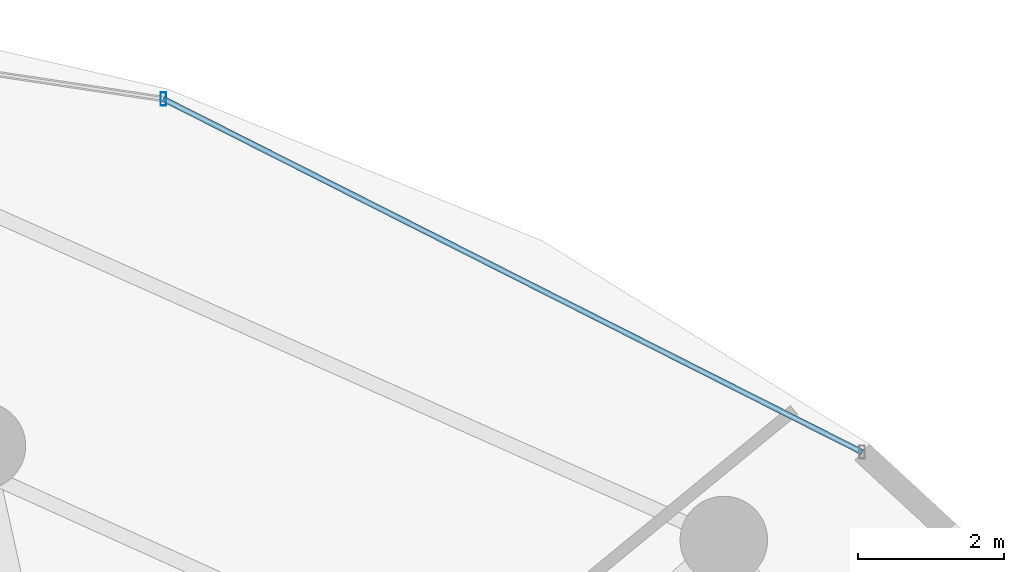
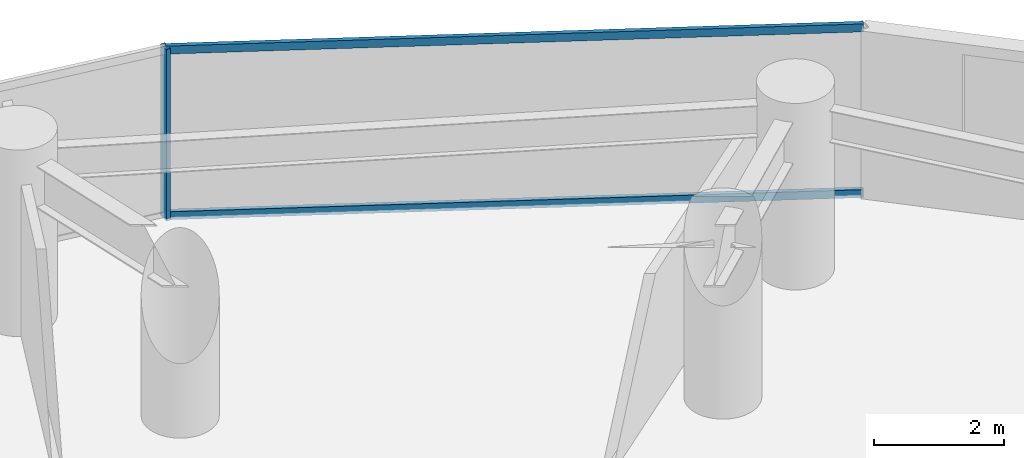
# One storey, part 23 of 34: 3 members, 1 element without a shape of its own.
"""IFC4 building model written with IfcOpenShell, lengths in metres."""

from ifc_helpers import new_model, si_unit, direction, frame, origin, origin_2d, place, context, subcontext, project, spatial, hollow_rectangle, extrude, material, material_profile, profile_set, type_object, element, aggregate, save


model = new_model("IFC4")

# Units and contexts
model_context = context("Model", 3, precision=1e-05, world=origin(), true_north=direction((0.0, 1.0)))
body_context = subcontext(model_context, "Body", "Model", "MODEL_VIEW")
ifc_project = project(units=[si_unit("LENGTHUNIT", "METRE"), si_unit("AREAUNIT", "SQUARE_METRE"), si_unit("VOLUMEUNIT", "CUBIC_METRE"), si_unit("PLANEANGLEUNIT", "RADIAN"), si_unit("MASSUNIT", "GRAM", prefix="KILO")], contexts=[model_context])

# Site, building, storey
site_placement = place(None, origin())
site = spatial("IfcSite", under=ifc_project, at=site_placement, CompositionType="ELEMENT")
building_placement = place(site_placement, origin())
building = spatial("IfcBuilding", under=site, at=building_placement, Name="Vorneva Point Tower", CompositionType="ELEMENT")
storey_placement = place(building_placement, frame((0.0, 0.0, 66.0)))
storey = spatial("IfcBuildingStorey", under=building, at=storey_placement, Name="L17", CompositionType="ELEMENT", Elevation=66.0)

# Curtain wall, members
ifc_material = material(Name="Pale anodised aluminium", Category="aluminium")
curtain_wall_type = type_object("IfcCurtainWallType", Name="CW-HTL-SYS", PredefinedType="NOTDEFINED", material=ifc_material)
curtain_wall_placement = place(storey_placement, origin())
curtain_wall = element("IfcCurtainWall", 1, at=curtain_wall_placement, inside=storey, type_object=curtain_wall_type, Name="L17 Unitised Curtain Wall CW-L17-R02", PredefinedType="NOTDEFINED")
ifc_material_profile_1 = material_profile(ifc_material, hollow_rectangle(XDim=0.074951171875, YDim=0.179931640625, WallThickness=0.00390625, at=origin_2d()), Name="AL-MUL 180x75x4")
ifc_profile_set_1 = profile_set([ifc_material_profile_1], Name="Pale anodised aluminium")
member_type_1 = type_object("IfcMemberType", Name="CW-MUL-180", PredefinedType="MULLION", material=ifc_profile_set_1)
member_1_placement = place(storey_placement, frame((49.308349609375, 46.648681640625, -0.0400390625), z_axis=(0.0, 0.0, 1.0), x_axis=(1.0, 0.0, 0.0)))
member_1 = element("IfcMember", 2, at=member_1_placement, type_object=member_type_1, Name="CW-L17-R02 Mullion 02", PredefinedType="MULLION", context=body_context, shape_type="SweptSolid", body=[
    extrude(hollow_rectangle(XDim=0.074951171875, YDim=0.179931640625, WallThickness=0.00390625, at=origin_2d()), origin(), (0.0, 0.0, 1.0), 3.219970703125),
])
ifc_material_profile_2 = material_profile(ifc_material, hollow_rectangle(XDim=0.074951171875, YDim=0.14990234375, WallThickness=0.00390625, at=origin_2d()), Name="AL-TRN 150x75x4")
ifc_profile_set_2 = profile_set([ifc_material_profile_2], Name="Pale anodised aluminium")
member_type_2 = type_object("IfcMemberType", Name="CW-TRN-150", PredefinedType="USERDEFINED", material=ifc_profile_set_2)
member_2_placement = place(storey_placement, frame((58.89501953125, 41.8037109375, 0.02001953125), z_axis=(-0.892496057621, 0.451055192999, 0.0), x_axis=(-0.451055192999, -0.892496057621, 0.0)))
member_2 = element("IfcMember", 3, at=member_2_placement, type_object=member_type_2, Name="CW-L17-R02 Transom 01.1", ObjectType="TRANSOM", PredefinedType="USERDEFINED", context=body_context, shape_type="SweptSolid", body=[
    extrude(hollow_rectangle(XDim=0.074951171875, YDim=0.14990234375, WallThickness=0.00390625, at=origin_2d()), origin(), (0.0, 0.0, 1.0), 10.741455078125),
])
member_3_placement = place(storey_placement, frame((58.89501953125, 41.8037109375, 3.1298828125), z_axis=(-0.892496057621, 0.451055192999, 0.0), x_axis=(-0.451055192999, -0.892496057621, 0.0)))
member_3 = element("IfcMember", 4, at=member_3_placement, type_object=member_type_2, Name="CW-L17-R02 Transom 01.2", ObjectType="TRANSOM", PredefinedType="USERDEFINED", context=body_context, shape_type="SweptSolid", body=[
    extrude(hollow_rectangle(XDim=0.074951171875, YDim=0.14990234375, WallThickness=0.00390625, at=origin_2d()), origin(), (0.0, 0.0, 1.0), 10.741455078125),
])
aggregate(curtain_wall, [member_1, member_2, member_3])

save(model, "model.ifc")
